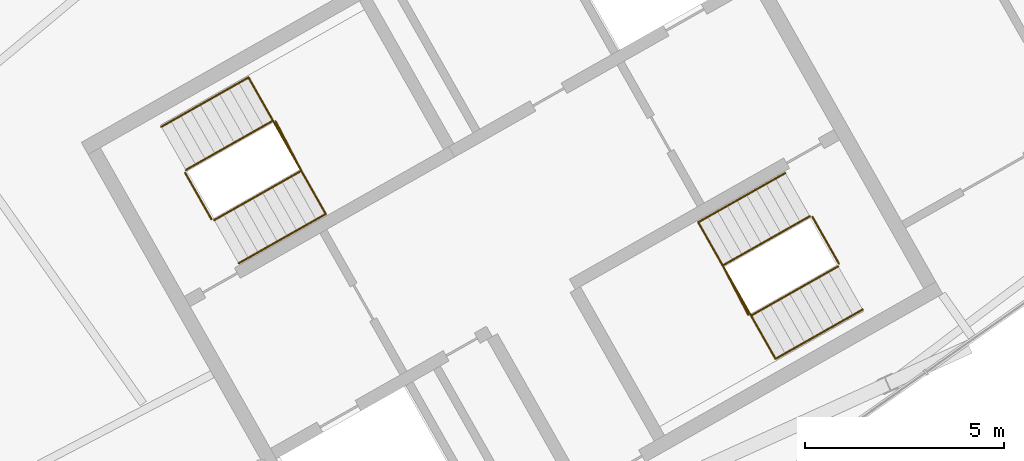
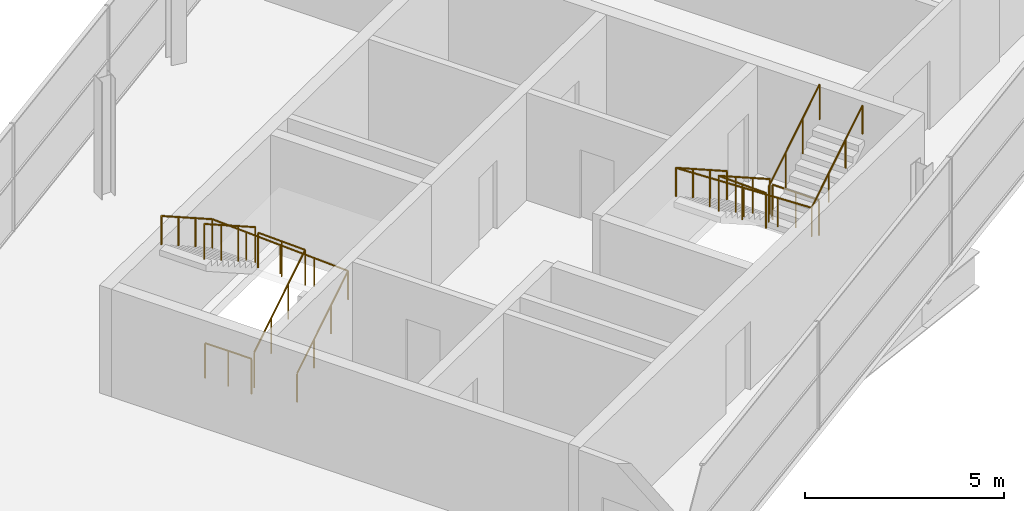
# One storey, part 11 of 11: 8 railings.
"""IFC4 building model written with IfcOpenShell, lengths in metres."""

from ifc_helpers import new_model, si_unit, direction, frame, origin, origin_2d, place, context, subcontext, project, spatial, circle, extrude, material, type_object, element, save


model = new_model("IFC4")

# Units and contexts
model_context = context("Model", 3, precision=1e-05, world=origin(), true_north=direction((0.0, 1.0)))
body_context = subcontext(model_context, "Body", "Model", "MODEL_VIEW")
ifc_project = project(units=[si_unit("LENGTHUNIT", "METRE"), si_unit("AREAUNIT", "SQUARE_METRE"), si_unit("VOLUMEUNIT", "CUBIC_METRE"), si_unit("PLANEANGLEUNIT", "RADIAN"), si_unit("MASSUNIT", "GRAM", prefix="KILO")], contexts=[model_context])

# Site, building, storey
site_placement = place(None, origin())
site = spatial("IfcSite", under=ifc_project, at=site_placement, CompositionType="ELEMENT")
building_placement = place(site_placement, origin())
building = spatial("IfcBuilding", under=site, at=building_placement, Name="Binnacle Exchange Tower", CompositionType="ELEMENT")
storey_placement = place(building_placement, frame((0.0, 0.0, 361.300048828125)))
storey = spatial("IfcBuildingStorey", under=building, at=storey_placement, Name="L83", CompositionType="ELEMENT", Elevation=361.300048828125)

# Railings
ifc_material_1 = material(Name="Steel guard rail", Category="steel")
railing_type_1 = type_object("IfcRailingType", Name="STAIR GUARD 1100", PredefinedType="GUARDRAIL", material=ifc_material_1)
railing_1_placement = place(storey_placement, frame((-43.26171875, 39.71728515625, 0.179931640625)))
element("IfcRailing", 1, at=railing_1_placement, inside=storey, type_object=railing_type_1, Name="L83 STA1 stair guard 1", PredefinedType="GUARDRAIL", context=body_context, shape_type="SweptSolid", body=[
    extrude(circle(Radius=0.02392578125, at=origin_2d()), frame((0.0, 0.0, 1.076171875), z_axis=(0.732112736453, 0.41421739085, 0.540772497674), x_axis=(-0.492430705092, 0.870351653461, 0.0)), (0.0, 0.0, 1.0), 2.995849609375),
    extrude(circle(Radius=0.02392578125, at=origin_2d()), frame((2.193359375, 1.240966796875, 2.6962890625), z_axis=(-0.461100321709, 0.887348011391, 0.0), x_axis=(-0.887348011391, -0.461100321709, 0.0)), (0.0, 0.0, 1.0), 1.40087890625),
    extrude(circle(Radius=0.02099609375, at=origin_2d()), origin(), (0.0, 0.0, 1.0), 1.052001953125),
    extrude(circle(Radius=0.02099609375, at=origin_2d()), frame((0.731201171875, 0.41357421875, 0.5400390625)), (0.0, 0.0, 1.0), 1.052001953125),
    extrude(circle(Radius=0.02099609375, at=origin_2d()), frame((1.462158203125, 0.827392578125, 1.080078125)), (0.0, 0.0, 1.0), 1.052001953125),
    extrude(circle(Radius=0.02099609375, at=origin_2d()), frame((2.193359375, 1.240966796875, 1.6201171875)), (0.0, 0.0, 1.0), 1.052001953125),
    extrude(circle(Radius=0.02099609375, at=origin_2d()), frame((1.870361328125, 1.862548828125, 1.6201171875)), (0.0, 0.0, 1.0), 1.052001953125),
    extrude(circle(Radius=0.02099609375, at=origin_2d()), frame((1.54736328125, 2.484130859375, 1.6201171875)), (0.0, 0.0, 1.0), 1.052001953125),
])
railing_2_placement = place(storey_placement, frame((-41.782470703125, 42.22021484375, 1.97998046875)))
element("IfcRailing", 2, at=railing_2_placement, inside=storey, type_object=railing_type_1, Name="L83 STA1 stair guard 2", PredefinedType="GUARDRAIL", context=body_context, shape_type="SweptSolid", body=[
    extrude(circle(Radius=0.02392578125, at=origin_2d()), frame((0.0, 0.0, 1.076171875), z_axis=(-0.73214499886, -0.414235644391, 0.540714833864), x_axis=(0.492430705092, -0.870351653461, 0.0)), (0.0, 0.0, 1.0), 2.995849609375),
    extrude(circle(Radius=0.02099609375, at=origin_2d()), origin(), (0.0, 0.0, 1.0), 1.052001953125),
    extrude(circle(Radius=0.02099609375, at=origin_2d()), frame((-0.731201171875, -0.41357421875, 0.5400390625)), (0.0, 0.0, 1.0), 1.052001953125),
    extrude(circle(Radius=0.02099609375, at=origin_2d()), frame((-1.462158203125, -0.827392578125, 1.079833984375)), (0.0, 0.0, 1.0), 1.052001953125),
    extrude(circle(Radius=0.02099609375, at=origin_2d()), frame((-2.193359375, -1.240966796875, 1.619873046875)), (0.0, 0.0, 1.0), 1.052001953125),
])
railing_3_placement = place(storey_placement, frame((-43.329833984375, 39.736328125, 0.0)))
element("IfcRailing", 3, at=railing_3_placement, inside=storey, type_object=railing_type_1, Name="L83 STA1 stair guard 3", PredefinedType="GUARDRAIL", context=body_context, shape_type="SweptSolid", body=[
    extrude(circle(Radius=0.02392578125, at=origin_2d()), frame((0.0, 0.0, 1.076171875), z_axis=(-0.4924922531, 0.870316827734, 0.0), x_axis=(-0.870316827734, -0.4924922531, 0.0)), (0.0, 0.0, 1.0), 1.349853515625),
    extrude(circle(Radius=0.02099609375, at=origin_2d()), origin(), (0.0, 0.0, 1.0), 1.052001953125),
    extrude(circle(Radius=0.02099609375, at=origin_2d()), frame((-0.33251953125, 0.58740234375, 0.0)), (0.0, 0.0, 1.0), 1.052001953125),
    extrude(circle(Radius=0.02099609375, at=origin_2d()), frame((-0.664794921875, 1.1748046875, 0.0)), (0.0, 0.0, 1.0), 1.052001953125),
])
railing_4_placement = place(storey_placement, frame((-28.265380859375, 39.814453125, 0.179931640625)))
element("IfcRailing", 4, at=railing_4_placement, inside=storey, type_object=railing_type_1, Name="L83 STA2 stair guard 1", PredefinedType="GUARDRAIL", context=body_context, shape_type="SweptSolid", body=[
    extrude(circle(Radius=0.02392578125, at=origin_2d()), frame((0.0, 0.0, 1.076171875), z_axis=(-0.732112736453, -0.41421739085, 0.540772497674), x_axis=(0.492430705092, -0.870351653461, 0.0)), (0.0, 0.0, 1.0), 2.995849609375),
    extrude(circle(Radius=0.02392578125, at=origin_2d()), frame((-2.193359375, -1.240966796875, 2.6962890625), z_axis=(0.461100321709, -0.887348011391, 0.0), x_axis=(0.887348011391, 0.461100321709, 0.0)), (0.0, 0.0, 1.0), 1.40087890625),
    extrude(circle(Radius=0.02099609375, at=origin_2d()), origin(), (0.0, 0.0, 1.0), 1.052001953125),
    extrude(circle(Radius=0.02099609375, at=origin_2d()), frame((-0.731201171875, -0.41357421875, 0.5400390625)), (0.0, 0.0, 1.0), 1.052001953125),
    extrude(circle(Radius=0.02099609375, at=origin_2d()), frame((-1.462158203125, -0.827392578125, 1.080078125)), (0.0, 0.0, 1.0), 1.052001953125),
    extrude(circle(Radius=0.02099609375, at=origin_2d()), frame((-2.193359375, -1.240966796875, 1.6201171875)), (0.0, 0.0, 1.0), 1.052001953125),
    extrude(circle(Radius=0.02099609375, at=origin_2d()), frame((-1.870361328125, -1.862548828125, 1.6201171875)), (0.0, 0.0, 1.0), 1.052001953125),
    extrude(circle(Radius=0.02099609375, at=origin_2d()), frame((-1.54736328125, -2.484130859375, 1.6201171875)), (0.0, 0.0, 1.0), 1.052001953125),
])
railing_5_placement = place(storey_placement, frame((-29.74462890625, 37.3115234375, 1.97998046875)))
element("IfcRailing", 5, at=railing_5_placement, inside=storey, type_object=railing_type_1, Name="L83 STA2 stair guard 2", PredefinedType="GUARDRAIL", context=body_context, shape_type="SweptSolid", body=[
    extrude(circle(Radius=0.02392578125, at=origin_2d()), frame((0.0, 0.0, 1.076171875), z_axis=(0.732107185068, 0.414260360871, 0.540747097064), x_axis=(-0.492472228755, 0.870328158746, 0.0)), (0.0, 0.0, 1.0), 2.99560546875),
    extrude(circle(Radius=0.02099609375, at=origin_2d()), origin(), (0.0, 0.0, 1.0), 1.052001953125),
    extrude(circle(Radius=0.02099609375, at=origin_2d()), frame((0.73095703125, 0.41357421875, 0.5400390625)), (0.0, 0.0, 1.0), 1.052001953125),
    extrude(circle(Radius=0.02099609375, at=origin_2d()), frame((1.462158203125, 0.827392578125, 1.079833984375)), (0.0, 0.0, 1.0), 1.052001953125),
    extrude(circle(Radius=0.02099609375, at=origin_2d()), frame((2.193115234375, 1.240966796875, 1.619873046875)), (0.0, 0.0, 1.0), 1.052001953125),
])
railing_6_placement = place(storey_placement, frame((-28.197265625, 39.795654296875, 0.0)))
element("IfcRailing", 6, at=railing_6_placement, inside=storey, type_object=railing_type_1, Name="L83 STA2 stair guard 3", PredefinedType="GUARDRAIL", context=body_context, shape_type="SweptSolid", body=[
    extrude(circle(Radius=0.02392578125, at=origin_2d()), frame((0.0, 0.0, 1.076171875), z_axis=(0.49241474071, -0.870360685654, 0.0), x_axis=(0.870360685654, 0.49241474071, 0.0)), (0.0, 0.0, 1.0), 1.35009765625),
    extrude(circle(Radius=0.02099609375, at=origin_2d()), origin(), (0.0, 0.0, 1.0), 1.052001953125),
    extrude(circle(Radius=0.02099609375, at=origin_2d()), frame((0.33251953125, -0.58740234375, 0.0)), (0.0, 0.0, 1.0), 1.052001953125),
    extrude(circle(Radius=0.02099609375, at=origin_2d()), frame((0.664794921875, -1.175048828125, 0.0)), (0.0, 0.0, 1.0), 1.052001953125),
])
ifc_material_2 = material(Name="Steel handrail", Category="steel")
railing_type_2 = type_object("IfcRailingType", Name="STAIR HANDRAIL 900", PredefinedType="HANDRAIL", material=ifc_material_2)
railing_7_placement = place(storey_placement, frame((-42.646240234375, 38.62939453125, 0.179931640625)))
element("IfcRailing", 7, at=railing_7_placement, inside=storey, type_object=railing_type_2, Name="L83 STA1 stair handrail 1", PredefinedType="HANDRAIL", context=body_context, shape_type="SweptSolid", body=[
    extrude(circle(Radius=0.02392578125, at=origin_2d()), frame((0.0, 0.0, 0.8759765625), z_axis=(0.732112736453, 0.41421739085, 0.540772497674), x_axis=(-0.492430705092, 0.870351653461, 0.0)), (0.0, 0.0, 1.0), 2.995849609375),
    extrude(circle(Radius=0.02392578125, at=origin_2d()), frame((2.193359375, 1.240966796875, 2.49609375), z_axis=(-0.491929959296, 0.869444678906, 0.045506762897), x_axis=(-0.87034633103, -0.492440112159, 0.0)), (0.0, 0.0, 1.0), 3.953857421875),
    extrude(circle(Radius=0.02392578125, at=origin_2d()), frame((0.248291015625, 4.6787109375, 2.67578125), z_axis=(-0.732169713324, -0.414168130355, 0.540733086365), x_axis=(0.492357313618, -0.87039317307, 0.0)), (0.0, 0.0, 1.0), 2.99560546875),
    extrude(circle(Radius=0.02099609375, at=origin_2d()), origin(), (0.0, 0.0, 1.0), 0.851806640625),
    extrude(circle(Radius=0.02099609375, at=origin_2d()), frame((0.731201171875, 0.41357421875, 0.5400390625)), (0.0, 0.0, 1.0), 0.851806640625),
    extrude(circle(Radius=0.02099609375, at=origin_2d()), frame((1.462158203125, 0.827392578125, 1.080078125)), (0.0, 0.0, 1.0), 0.851806640625),
    extrude(circle(Radius=0.02099609375, at=origin_2d()), frame((2.193359375, 1.240966796875, 1.6201171875)), (0.0, 0.0, 1.0), 0.851806640625),
    extrude(circle(Radius=0.02099609375, at=origin_2d()), frame((1.70703125, 2.100341796875, 1.6650390625)), (0.0, 0.0, 1.0), 0.851806640625),
    extrude(circle(Radius=0.02099609375, at=origin_2d()), frame((1.220703125, 2.9599609375, 1.7099609375)), (0.0, 0.0, 1.0), 0.851806640625),
    extrude(circle(Radius=0.02099609375, at=origin_2d()), frame((0.734619140625, 3.8193359375, 1.755126953125)), (0.0, 0.0, 1.0), 0.851806640625),
    extrude(circle(Radius=0.02099609375, at=origin_2d()), frame((0.248291015625, 4.6787109375, 1.800048828125)), (0.0, 0.0, 1.0), 0.851806640625),
    extrude(circle(Radius=0.02099609375, at=origin_2d()), frame((-0.48291015625, 4.26513671875, 2.340087890625)), (0.0, 0.0, 1.0), 0.851806640625),
    extrude(circle(Radius=0.02099609375, at=origin_2d()), frame((-1.2138671875, 3.8515625, 2.8798828125)), (0.0, 0.0, 1.0), 0.851806640625),
    extrude(circle(Radius=0.02099609375, at=origin_2d()), frame((-1.945068359375, 3.43798828125, 3.419921875)), (0.0, 0.0, 1.0), 0.851806640625),
])
railing_8_placement = place(storey_placement, frame((-28.880859375, 40.90234375, 0.179931640625)))
element("IfcRailing", 8, at=railing_8_placement, inside=storey, type_object=railing_type_2, Name="L83 STA2 stair handrail 1", PredefinedType="HANDRAIL", context=body_context, shape_type="SweptSolid", body=[
    extrude(circle(Radius=0.02392578125, at=origin_2d()), frame((0.0, 0.0, 0.8759765625), z_axis=(-0.73213744765, -0.414149878557, 0.540790750513), x_axis=(0.492357313618, -0.87039317307, 0.0)), (0.0, 0.0, 1.0), 2.995849609375),
    extrude(circle(Radius=0.02392578125, at=origin_2d()), frame((-2.193359375, -1.24072265625, 2.49609375), z_axis=(0.49190355138, -0.869459747776, 0.045504319991), x_axis=(0.870361318571, 0.492413622004, 0.0)), (0.0, 0.0, 1.0), 3.9541015625),
    extrude(circle(Radius=0.02392578125, at=origin_2d()), frame((-0.248291015625, -4.6787109375, 2.67578125), z_axis=(0.73214499886, 0.414235644391, 0.540714833864), x_axis=(-0.492430705092, 0.870351653461, 0.0)), (0.0, 0.0, 1.0), 2.995849609375),
    extrude(circle(Radius=0.02099609375, at=origin_2d()), origin(), (0.0, 0.0, 1.0), 0.851806640625),
    extrude(circle(Radius=0.02099609375, at=origin_2d()), frame((-0.731201171875, -0.41357421875, 0.5400390625)), (0.0, 0.0, 1.0), 0.851806640625),
    extrude(circle(Radius=0.02099609375, at=origin_2d()), frame((-1.462158203125, -0.8271484375, 1.080078125)), (0.0, 0.0, 1.0), 0.851806640625),
    extrude(circle(Radius=0.02099609375, at=origin_2d()), frame((-2.193359375, -1.24072265625, 1.6201171875)), (0.0, 0.0, 1.0), 0.851806640625),
    extrude(circle(Radius=0.02099609375, at=origin_2d()), frame((-1.70703125, -2.10009765625, 1.6650390625)), (0.0, 0.0, 1.0), 0.851806640625),
    extrude(circle(Radius=0.02099609375, at=origin_2d()), frame((-1.220703125, -2.959716796875, 1.7099609375)), (0.0, 0.0, 1.0), 0.851806640625),
    extrude(circle(Radius=0.02099609375, at=origin_2d()), frame((-0.734619140625, -3.8193359375, 1.755126953125)), (0.0, 0.0, 1.0), 0.851806640625),
    extrude(circle(Radius=0.02099609375, at=origin_2d()), frame((-0.248291015625, -4.6787109375, 1.800048828125)), (0.0, 0.0, 1.0), 0.851806640625),
    extrude(circle(Radius=0.02099609375, at=origin_2d()), frame((0.48291015625, -4.26513671875, 2.340087890625)), (0.0, 0.0, 1.0), 0.851806640625),
    extrude(circle(Radius=0.02099609375, at=origin_2d()), frame((1.2138671875, -3.851318359375, 2.8798828125)), (0.0, 0.0, 1.0), 0.851806640625),
    extrude(circle(Radius=0.02099609375, at=origin_2d()), frame((1.945068359375, -3.437744140625, 3.419921875)), (0.0, 0.0, 1.0), 0.851806640625),
])

save(model, "model.ifc")
